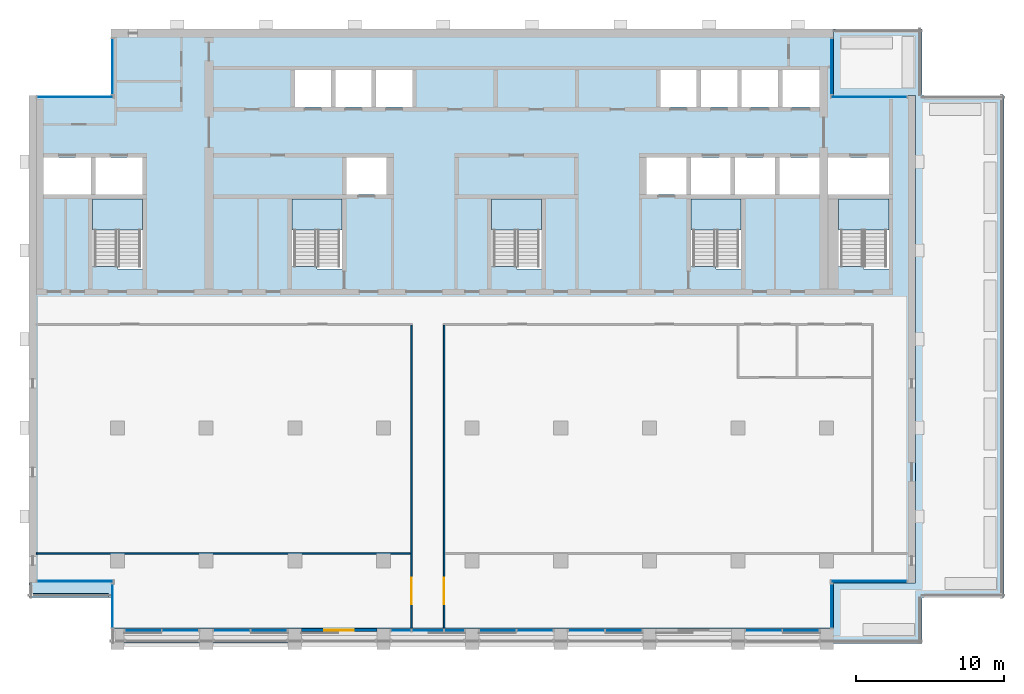
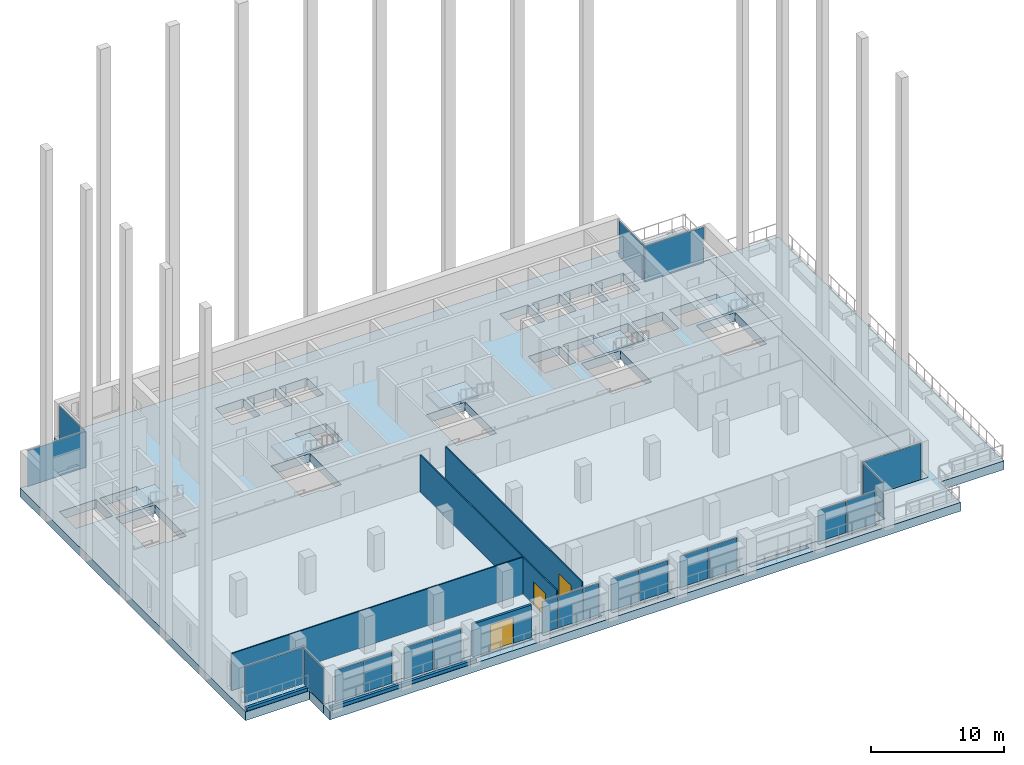
# One storey, part 6 of 16: 21 plates, 7 slabs, 6 walls, 3 doors, 3 openings, 19 elements without a shape of their own.
"""IFC4 building model written with IfcOpenShell, lengths in metres."""

from ifc_helpers import new_model, si_unit, direction, frame, frame_2d, origin, origin_2d, place, context, subcontext, project, spatial, polyline, rectangle, outline, extrude, material, layer, layer_set, type_object, element, fill, aggregate, save


model = new_model("IFC4")

# Units and contexts
model_context = context("Model", 3, precision=1e-05, world=origin(), true_north=direction((0.0, 1.0)))
body_context = subcontext(model_context, "Body", "Model", "MODEL_VIEW")
ifc_project = project(units=[si_unit("LENGTHUNIT", "METRE"), si_unit("AREAUNIT", "SQUARE_METRE"), si_unit("VOLUMEUNIT", "CUBIC_METRE"), si_unit("PLANEANGLEUNIT", "RADIAN"), si_unit("MASSUNIT", "GRAM", prefix="KILO")], contexts=[model_context])

# Site, building, storey
site_placement = place(None, origin())
site = spatial("IfcSite", under=ifc_project, at=site_placement, CompositionType="ELEMENT")
building_placement = place(site_placement, origin())
building = spatial("IfcBuilding", under=site, at=building_placement, Name="Calvaro Tower", CompositionType="ELEMENT")
storey_placement = place(building_placement, frame((0.0, 0.0, 231.75)))
storey = spatial("IfcBuildingStorey", under=building, at=storey_placement, Name="L58", CompositionType="ELEMENT", Elevation=231.75)

# Slab
ifc_material_1 = material(Name="Concrete C40/50", Category="concrete")
ifc_layer_1 = layer(ifc_material_1, 0.800048828125)
ifc_layer_set_1 = layer_set([ifc_layer_1], Name="Concrete C40/50")
slab_type_1 = type_object("IfcSlabType", Name="Floor slab 800 C40/50", PredefinedType="FLOOR", material=ifc_layer_set_1)
slab_1_placement = place(storey_placement, frame((0.0, 0.0, -0.800048828125)))
element("IfcSlab", 1, at=slab_1_placement, inside=storey, type_object=slab_type_1, Name="Floor slab", PredefinedType="FLOOR", context=body_context, shape_type="SweptSolid", body=[
    extrude(outline(polyline([(6.0, 8.5), (6.0, 41.5), (11.550048828125, 41.5), (11.550048828125, 46.0), (60.449951171875, 46.0), (60.449951171875, 41.5), (66.0, 41.5), (66.0, 8.5), (60.449951171875, 8.5), (60.449951171875, 5.39990234375), (11.550048828125, 5.39990234375), (11.550048828125, 7.5), (6.0, 7.5), (6.0, 8.5)]), holes=[polyline([(13.699951171875, 34.5), (13.699951171875, 29.760009765625), (12.0, 29.760009765625), (12.0, 29.909912109375), (10.300048828125, 29.909912109375), (10.300048828125, 34.5), (12.0, 34.5), (13.699951171875, 34.5)]), polyline([(27.199951171875, 34.5), (27.199951171875, 29.760009765625), (25.5, 29.760009765625), (25.5, 29.909912109375), (23.800048828125, 29.909912109375), (23.800048828125, 34.5), (25.5, 34.5), (27.199951171875, 34.5)]), polyline([(40.699951171875, 34.5), (40.699951171875, 29.760009765625), (39.0, 29.760009765625), (39.0, 29.909912109375), (37.300048828125, 29.909912109375), (37.300048828125, 34.5), (39.0, 34.5), (40.699951171875, 34.5)]), polyline([(54.199951171875, 34.5), (54.199951171875, 29.760009765625), (52.5, 29.760009765625), (52.5, 29.909912109375), (50.800048828125, 29.909912109375), (50.800048828125, 34.5), (52.5, 34.5), (54.199951171875, 34.5)]), polyline([(64.199951171875, 34.5), (64.199951171875, 29.760009765625), (62.5, 29.760009765625), (62.5, 29.909912109375), (60.800048828125, 29.909912109375), (60.800048828125, 34.5), (62.5, 34.5), (64.199951171875, 34.5)]), polyline([(50.800048828125, 34.800048828125), (53.5, 34.800048828125), (53.5, 37.300048828125), (50.800048828125, 37.300048828125), (50.800048828125, 34.800048828125)]), polyline([(53.800048828125, 34.800048828125), (56.5, 34.800048828125), (56.5, 37.300048828125), (53.800048828125, 37.300048828125), (53.800048828125, 34.800048828125)]), polyline([(56.800048828125, 34.800048828125), (59.5, 34.800048828125), (59.5, 37.300048828125), (56.800048828125, 37.300048828125), (56.800048828125, 34.800048828125)]), polyline([(24.0, 40.699951171875), (26.449951171875, 40.699951171875), (26.449951171875, 43.199951171875), (24.0, 43.199951171875), (24.0, 40.699951171875)]), polyline([(26.75, 40.699951171875), (29.199951171875, 40.699951171875), (29.199951171875, 43.199951171875), (26.75, 43.199951171875), (26.75, 40.699951171875)]), polyline([(29.5, 40.699951171875), (31.949951171875, 40.699951171875), (31.949951171875, 43.199951171875), (29.5, 43.199951171875), (29.5, 40.699951171875)]), polyline([(48.75, 40.699951171875), (51.199951171875, 40.699951171875), (51.199951171875, 43.199951171875), (48.75, 43.199951171875), (48.75, 40.699951171875)]), polyline([(51.5, 40.699951171875), (53.949951171875, 40.699951171875), (53.949951171875, 43.199951171875), (51.5, 43.199951171875), (51.5, 40.699951171875)]), polyline([(54.25, 40.699951171875), (56.699951171875, 40.699951171875), (56.699951171875, 43.199951171875), (54.25, 43.199951171875), (54.25, 40.699951171875)]), polyline([(57.0, 40.699951171875), (59.5, 40.699951171875), (59.5, 43.199951171875), (57.0, 43.199951171875), (57.0, 40.699951171875)]), polyline([(7.0, 34.800048828125), (10.199951171875, 34.800048828125), (10.199951171875, 37.300048828125), (7.0, 37.300048828125), (7.0, 34.800048828125)]), polyline([(10.5, 34.800048828125), (13.699951171875, 34.800048828125), (13.699951171875, 37.300048828125), (10.5, 37.300048828125), (10.5, 34.800048828125)]), polyline([(60.10009765625, 34.800048828125), (64.199951171875, 34.800048828125), (64.199951171875, 37.300048828125), (60.10009765625, 37.300048828125), (60.10009765625, 34.800048828125)]), polyline([(27.5, 34.800048828125), (30.199951171875, 34.800048828125), (30.199951171875, 37.300048828125), (27.5, 37.300048828125), (27.5, 34.800048828125)]), polyline([(47.800048828125, 34.800048828125), (50.5, 34.800048828125), (50.5, 37.300048828125), (47.800048828125, 37.300048828125), (47.800048828125, 34.800048828125)])]), origin(), (0.0, 0.0, 1.0), 0.800048828125),
])

# Curtain wall, plates
ifc_material_2 = material(Name="Anodised aluminium", Category="aluminium")
curtain_wall_type = type_object("IfcCurtainWallType", Name="Executive curtain wall", PredefinedType="NOTDEFINED", material=ifc_material_2)
curtain_wall_1_placement = place(storey_placement, origin())
curtain_wall_1 = element("IfcCurtainWall", 2, at=curtain_wall_1_placement, inside=storey, type_object=curtain_wall_type, Name="CW4 south curtain wall", PredefinedType="NOTDEFINED")
ifc_material_3 = material(Name="Glass", Category="glass")
ifc_layer_2 = layer(ifc_material_3, 0.0400390625)
ifc_layer_set_2 = layer_set([ifc_layer_2], Name="Glass")
plate_type = type_object("IfcPlateType", Name="Glass panel S4 40", PredefinedType="CURTAIN_PANEL", material=ifc_layer_set_2)
plate_1_placement = place(storey_placement, frame((13.7451171875, 5.2900390625, 0.0), z_axis=(0.0, 0.0, 1.0), x_axis=(1.0, 0.0, 0.0)))
plate_1 = element("IfcPlate", 3, at=plate_1_placement, type_object=plate_type, Name="CW4 glass panel 1.1", PredefinedType="CURTAIN_PANEL", context=body_context, shape_type="SweptSolid", body=[
    extrude(rectangle(XDim=2.429931640625, YDim=0.0400390625, at=origin_2d()), origin(), (0.0, 0.0, 1.0), 2.8798828125),
])
plate_2_placement = place(storey_placement, frame((16.2548828125, 5.2900390625, 0.0), z_axis=(0.0, 0.0, 1.0), x_axis=(1.0, 0.0, 0.0)))
plate_2 = element("IfcPlate", 4, at=plate_2_placement, type_object=plate_type, Name="CW4 glass panel 2.1", PredefinedType="CURTAIN_PANEL", context=body_context, shape_type="SweptSolid", body=[
    extrude(rectangle(XDim=2.429931640625, YDim=0.0400390625, at=origin_2d()), origin(), (0.0, 0.0, 1.0), 2.8798828125),
])
aggregate(curtain_wall_1, [plate_1, plate_2])

curtain_wall_2_placement = place(storey_placement, origin())
curtain_wall_2 = element("IfcCurtainWall", 5, at=curtain_wall_2_placement, inside=storey, type_object=curtain_wall_type, Name="CW4 south curtain wall", PredefinedType="NOTDEFINED")
plate_3_placement = place(storey_placement, frame((19.7451171875, 5.2900390625, 0.0), z_axis=(0.0, 0.0, 1.0), x_axis=(1.0, 0.0, 0.0)))
plate_3 = element("IfcPlate", 6, at=plate_3_placement, type_object=plate_type, Name="CW4 glass panel 1.1", PredefinedType="CURTAIN_PANEL", context=body_context, shape_type="SweptSolid", body=[
    extrude(rectangle(XDim=2.429931640625, YDim=0.0400390625, at=origin_2d()), origin(), (0.0, 0.0, 1.0), 2.8798828125),
])
plate_4_placement = place(storey_placement, frame((22.2548828125, 5.2900390625, 0.0), z_axis=(0.0, 0.0, 1.0), x_axis=(1.0, 0.0, 0.0)))
plate_4 = element("IfcPlate", 7, at=plate_4_placement, type_object=plate_type, Name="CW4 glass panel 2.1", PredefinedType="CURTAIN_PANEL", context=body_context, shape_type="SweptSolid", body=[
    extrude(rectangle(XDim=2.429931640625, YDim=0.0400390625, at=origin_2d()), origin(), (0.0, 0.0, 1.0), 2.8798828125),
])
aggregate(curtain_wall_2, [plate_3, plate_4])

curtain_wall_3_placement = place(storey_placement, origin())
curtain_wall_3 = element("IfcCurtainWall", 8, at=curtain_wall_3_placement, inside=storey, type_object=curtain_wall_type, Name="CW4 south curtain wall", PredefinedType="NOTDEFINED")
plate_5_placement = place(storey_placement, frame((31.195068359375, 5.2900390625, 0.0), z_axis=(0.0, 0.0, 1.0), x_axis=(1.0, 0.0, 0.0)))
plate_5 = element("IfcPlate", 9, at=plate_5_placement, type_object=plate_type, Name="CW4 glass panel 1.1", PredefinedType="CURTAIN_PANEL", context=body_context, shape_type="SweptSolid", body=[
    extrude(rectangle(XDim=1.330078125, YDim=0.0400390625, at=origin_2d()), origin(), (0.0, 0.0, 1.0), 2.8798828125),
])
plate_6_placement = place(storey_placement, frame((33.0, 5.2900390625, 0.0), z_axis=(0.0, 0.0, 1.0), x_axis=(1.0, 0.0, 0.0)))
plate_6 = element("IfcPlate", 10, at=plate_6_placement, type_object=plate_type, Name="CW4 glass panel 2.1", PredefinedType="CURTAIN_PANEL", context=body_context, shape_type="SweptSolid", body=[
    extrude(rectangle(XDim=2.1201171875, YDim=0.0400390625, at=origin_2d()), origin(), (0.0, 0.0, 1.0), 2.8798828125),
])
plate_7_placement = place(storey_placement, frame((34.804931640625, 5.2900390625, 0.0), z_axis=(0.0, 0.0, 1.0), x_axis=(1.0, 0.0, 0.0)))
plate_7 = element("IfcPlate", 11, at=plate_7_placement, type_object=plate_type, Name="CW4 glass panel 3.1", PredefinedType="CURTAIN_PANEL", context=body_context, shape_type="SweptSolid", body=[
    extrude(rectangle(XDim=1.330078125, YDim=0.0400390625, at=origin_2d()), origin(), (0.0, 0.0, 1.0), 2.8798828125),
])
aggregate(curtain_wall_3, [plate_5, plate_6, plate_7])

curtain_wall_4_placement = place(storey_placement, origin())
curtain_wall_4 = element("IfcCurtainWall", 12, at=curtain_wall_4_placement, inside=storey, type_object=curtain_wall_type, Name="CW4 south curtain wall", PredefinedType="NOTDEFINED")
plate_8_placement = place(storey_placement, frame((37.7451171875, 5.2900390625, 0.0), z_axis=(0.0, 0.0, 1.0), x_axis=(1.0, 0.0, 0.0)))
plate_8 = element("IfcPlate", 13, at=plate_8_placement, type_object=plate_type, Name="CW4 glass panel 1.1", PredefinedType="CURTAIN_PANEL", context=body_context, shape_type="SweptSolid", body=[
    extrude(rectangle(XDim=2.429931640625, YDim=0.0400390625, at=origin_2d()), origin(), (0.0, 0.0, 1.0), 2.8798828125),
])
plate_9_placement = place(storey_placement, frame((40.2548828125, 5.2900390625, 0.0), z_axis=(0.0, 0.0, 1.0), x_axis=(1.0, 0.0, 0.0)))
plate_9 = element("IfcPlate", 14, at=plate_9_placement, type_object=plate_type, Name="CW4 glass panel 2.1", PredefinedType="CURTAIN_PANEL", context=body_context, shape_type="SweptSolid", body=[
    extrude(rectangle(XDim=2.429931640625, YDim=0.0400390625, at=origin_2d()), origin(), (0.0, 0.0, 1.0), 2.8798828125),
])
aggregate(curtain_wall_4, [plate_8, plate_9])

curtain_wall_5_placement = place(storey_placement, origin())
curtain_wall_5 = element("IfcCurtainWall", 15, at=curtain_wall_5_placement, inside=storey, type_object=curtain_wall_type, Name="CW4 south curtain wall", PredefinedType="NOTDEFINED")
plate_10_placement = place(storey_placement, frame((43.7451171875, 5.2900390625, 0.0), z_axis=(0.0, 0.0, 1.0), x_axis=(1.0, 0.0, 0.0)))
plate_10 = element("IfcPlate", 16, at=plate_10_placement, type_object=plate_type, Name="CW4 glass panel 1.1", PredefinedType="CURTAIN_PANEL", context=body_context, shape_type="SweptSolid", body=[
    extrude(rectangle(XDim=2.429931640625, YDim=0.0400390625, at=origin_2d()), origin(), (0.0, 0.0, 1.0), 2.8798828125),
])
plate_11_placement = place(storey_placement, frame((46.2548828125, 5.2900390625, 0.0), z_axis=(0.0, 0.0, 1.0), x_axis=(1.0, 0.0, 0.0)))
plate_11 = element("IfcPlate", 17, at=plate_11_placement, type_object=plate_type, Name="CW4 glass panel 2.1", PredefinedType="CURTAIN_PANEL", context=body_context, shape_type="SweptSolid", body=[
    extrude(rectangle(XDim=2.429931640625, YDim=0.0400390625, at=origin_2d()), origin(), (0.0, 0.0, 1.0), 2.8798828125),
])
aggregate(curtain_wall_5, [plate_10, plate_11])

curtain_wall_6_placement = place(storey_placement, origin())
curtain_wall_6 = element("IfcCurtainWall", 18, at=curtain_wall_6_placement, inside=storey, type_object=curtain_wall_type, Name="CW4 south curtain wall", PredefinedType="NOTDEFINED")
plate_12_placement = place(storey_placement, frame((55.7451171875, 5.2900390625, 0.0), z_axis=(0.0, 0.0, 1.0), x_axis=(1.0, 0.0, 0.0)))
plate_12 = element("IfcPlate", 19, at=plate_12_placement, type_object=plate_type, Name="CW4 glass panel 1.1", PredefinedType="CURTAIN_PANEL", context=body_context, shape_type="SweptSolid", body=[
    extrude(rectangle(XDim=2.429931640625, YDim=0.0400390625, at=origin_2d()), origin(), (0.0, 0.0, 1.0), 2.8798828125),
])
plate_13_placement = place(storey_placement, frame((58.2548828125, 5.2900390625, 0.0), z_axis=(0.0, 0.0, 1.0), x_axis=(1.0, 0.0, 0.0)))
plate_13 = element("IfcPlate", 20, at=plate_13_placement, type_object=plate_type, Name="CW4 glass panel 2.1", PredefinedType="CURTAIN_PANEL", context=body_context, shape_type="SweptSolid", body=[
    extrude(rectangle(XDim=2.429931640625, YDim=0.0400390625, at=origin_2d()), origin(), (0.0, 0.0, 1.0), 2.8798828125),
])
aggregate(curtain_wall_6, [plate_12, plate_13])

# Curtain wall, plate
curtain_wall_7_placement = place(storey_placement, origin())
curtain_wall_7 = element("IfcCurtainWall", 21, at=curtain_wall_7_placement, inside=storey, type_object=curtain_wall_type, Name="CW4 corner curtain wall", PredefinedType="NOTDEFINED")
plate_14_placement = place(storey_placement, frame((11.659912109375, 6.949951171875, 0.0), z_axis=(0.0, 0.0, 1.0), x_axis=(0.0, 1.0, 0.0)))
plate_14 = element("IfcPlate", 22, at=plate_14_placement, type_object=plate_type, Name="CW4 glass panel 1.1", PredefinedType="CURTAIN_PANEL", context=body_context, shape_type="SweptSolid", body=[
    extrude(rectangle(XDim=2.93994140625, YDim=0.0400390625, at=origin_2d()), origin(), (0.0, 0.0, 1.0), 3.280029296875),
])
aggregate(curtain_wall_7, [plate_14])

curtain_wall_8_placement = place(storey_placement, origin())
curtain_wall_8 = element("IfcCurtainWall", 23, at=curtain_wall_8_placement, inside=storey, type_object=curtain_wall_type, Name="CW4 corner curtain wall", PredefinedType="NOTDEFINED")
plate_15_placement = place(storey_placement, frame((9.135009765625, 8.610107421875, 0.0), z_axis=(0.0, 0.0, 1.0), x_axis=(1.0, 0.0, 0.0)))
plate_15 = element("IfcPlate", 24, at=plate_15_placement, type_object=plate_type, Name="CW4 glass panel 1.1", PredefinedType="CURTAIN_PANEL", context=body_context, shape_type="SweptSolid", body=[
    extrude(rectangle(XDim=5.110107421875, YDim=0.0400390625, at=origin_2d()), origin(), (0.0, 0.0, 1.0), 3.280029296875),
])
aggregate(curtain_wall_8, [plate_15])

curtain_wall_9_placement = place(storey_placement, origin())
curtain_wall_9 = element("IfcCurtainWall", 25, at=curtain_wall_9_placement, inside=storey, type_object=curtain_wall_type, Name="CW4 corner curtain wall", PredefinedType="NOTDEFINED")
plate_16_placement = place(storey_placement, frame((11.659912109375, 43.449951171875, 0.0), z_axis=(0.0, 0.0, 1.0), x_axis=(0.0, 1.0, 0.0)))
plate_16 = element("IfcPlate", 26, at=plate_16_placement, type_object=plate_type, Name="CW4 glass panel 1.1", PredefinedType="CURTAIN_PANEL", context=body_context, shape_type="SweptSolid", body=[
    extrude(rectangle(XDim=3.739990234375, YDim=0.0400390625, at=origin_2d()), origin(), (0.0, 0.0, 1.0), 3.280029296875),
])
aggregate(curtain_wall_9, [plate_16])

curtain_wall_10_placement = place(storey_placement, origin())
curtain_wall_10 = element("IfcCurtainWall", 27, at=curtain_wall_10_placement, inside=storey, type_object=curtain_wall_type, Name="CW4 corner curtain wall", PredefinedType="NOTDEFINED")
plate_17_placement = place(storey_placement, frame((9.135009765625, 41.389892578125, 0.0), z_axis=(0.0, 0.0, 1.0), x_axis=(1.0, 0.0, 0.0)))
plate_17 = element("IfcPlate", 28, at=plate_17_placement, type_object=plate_type, Name="CW4 glass panel 1.1", PredefinedType="CURTAIN_PANEL", context=body_context, shape_type="SweptSolid", body=[
    extrude(rectangle(XDim=5.110107421875, YDim=0.0400390625, at=origin_2d()), origin(), (0.0, 0.0, 1.0), 3.280029296875),
])
aggregate(curtain_wall_10, [plate_17])

curtain_wall_11_placement = place(storey_placement, origin())
curtain_wall_11 = element("IfcCurtainWall", 29, at=curtain_wall_11_placement, inside=storey, type_object=curtain_wall_type, Name="CW4 corner curtain wall", PredefinedType="NOTDEFINED")
plate_18_placement = place(storey_placement, frame((60.340087890625, 6.949951171875, 0.0), z_axis=(0.0, 0.0, 1.0), x_axis=(0.0, 1.0, 0.0)))
plate_18 = element("IfcPlate", 30, at=plate_18_placement, type_object=plate_type, Name="CW4 glass panel 1.1", PredefinedType="CURTAIN_PANEL", context=body_context, shape_type="SweptSolid", body=[
    extrude(rectangle(XDim=2.93994140625, YDim=0.0400390625, at=origin_2d()), origin(), (0.0, 0.0, 1.0), 3.280029296875),
])
aggregate(curtain_wall_11, [plate_18])

curtain_wall_12_placement = place(storey_placement, origin())
curtain_wall_12 = element("IfcCurtainWall", 31, at=curtain_wall_12_placement, inside=storey, type_object=curtain_wall_type, Name="CW4 corner curtain wall", PredefinedType="NOTDEFINED")
plate_19_placement = place(storey_placement, frame((62.864990234375, 8.610107421875, 0.0), z_axis=(0.0, 0.0, 1.0), x_axis=(1.0, 0.0, 0.0)))
plate_19 = element("IfcPlate", 32, at=plate_19_placement, type_object=plate_type, Name="CW4 glass panel 1.1", PredefinedType="CURTAIN_PANEL", context=body_context, shape_type="SweptSolid", body=[
    extrude(rectangle(XDim=5.110107421875, YDim=0.0400390625, at=origin_2d()), origin(), (0.0, 0.0, 1.0), 3.280029296875),
])
aggregate(curtain_wall_12, [plate_19])

curtain_wall_13_placement = place(storey_placement, origin())
curtain_wall_13 = element("IfcCurtainWall", 33, at=curtain_wall_13_placement, inside=storey, type_object=curtain_wall_type, Name="CW4 corner curtain wall", PredefinedType="NOTDEFINED")
plate_20_placement = place(storey_placement, frame((60.340087890625, 43.449951171875, 0.0), z_axis=(0.0, 0.0, 1.0), x_axis=(0.0, 1.0, 0.0)))
plate_20 = element("IfcPlate", 34, at=plate_20_placement, type_object=plate_type, Name="CW4 glass panel 1.1", PredefinedType="CURTAIN_PANEL", context=body_context, shape_type="SweptSolid", body=[
    extrude(rectangle(XDim=3.739990234375, YDim=0.0400390625, at=origin_2d()), origin(), (0.0, 0.0, 1.0), 3.280029296875),
])
aggregate(curtain_wall_13, [plate_20])

curtain_wall_14_placement = place(storey_placement, origin())
curtain_wall_14 = element("IfcCurtainWall", 35, at=curtain_wall_14_placement, inside=storey, type_object=curtain_wall_type, Name="CW4 corner curtain wall", PredefinedType="NOTDEFINED")
plate_21_placement = place(storey_placement, frame((62.864990234375, 41.389892578125, 0.0), z_axis=(0.0, 0.0, 1.0), x_axis=(1.0, 0.0, 0.0)))
plate_21 = element("IfcPlate", 36, at=plate_21_placement, type_object=plate_type, Name="CW4 glass panel 1.1", PredefinedType="CURTAIN_PANEL", context=body_context, shape_type="SweptSolid", body=[
    extrude(rectangle(XDim=5.110107421875, YDim=0.0400390625, at=origin_2d()), origin(), (0.0, 0.0, 1.0), 3.280029296875),
])
aggregate(curtain_wall_14, [plate_21])

# Stair, slab
ifc_material_4 = material(Name="Concrete C40/50", Category="concrete")
stair_type = type_object("IfcStairType", Name="Exit stair 1400 2 flights", PredefinedType="HALF_TURN_STAIR", material=ifc_material_4)
stair_1_placement = place(storey_placement, origin())
stair_1 = element("IfcStair", 37, at=stair_1_placement, inside=storey, type_object=stair_type, Name="Exit stair S1", PredefinedType="HALF_TURN_STAIR")
ifc_material_5 = material(Name="Concrete C40/50", Category="concrete")
ifc_layer_3 = layer(ifc_material_5, 0.199951171875)
ifc_layer_set_3 = layer_set([ifc_layer_3], Name="Concrete C40/50")
slab_type_2 = type_object("IfcSlabType", Name="Stair landing", PredefinedType="LANDING", material=ifc_layer_set_3)
slab_2_placement = place(storey_placement, frame((0.0, 0.0, 1.699951171875)))
slab_2 = element("IfcSlab", 38, at=slab_2_placement, type_object=slab_type_2, Name="Exit stair 1, landing 1", PredefinedType="LANDING", context=body_context, shape_type="SweptSolid", body=[
    extrude(outline(polyline([(11.89990234375, 32.389892578125), (10.5, 32.389892578125), (10.5, 32.39990234375), (10.300048828125, 32.39990234375), (10.300048828125, 34.5), (10.5, 34.5), (11.89990234375, 34.5), (12.10009765625, 34.5), (13.5, 34.5), (13.699951171875, 34.5), (13.699951171875, 32.39990234375), (13.5, 32.39990234375), (13.5, 32.389892578125), (12.10009765625, 32.389892578125), (12.10009765625, 32.39990234375), (11.89990234375, 32.39990234375), (11.89990234375, 32.389892578125)])), origin(), (0.0, 0.0, 1.0), 0.199951171875),
])
aggregate(stair_1, [slab_2])

stair_2_placement = place(storey_placement, origin())
stair_2 = element("IfcStair", 39, at=stair_2_placement, inside=storey, type_object=stair_type, Name="Exit stair S2", PredefinedType="HALF_TURN_STAIR")
slab_3_placement = place(storey_placement, frame((0.0, 0.0, 1.699951171875)))
slab_3 = element("IfcSlab", 40, at=slab_3_placement, type_object=slab_type_2, Name="Exit stair 2, landing 1", PredefinedType="LANDING", context=body_context, shape_type="SweptSolid", body=[
    extrude(outline(polyline([(25.39990234375, 32.389892578125), (24.0, 32.389892578125), (24.0, 32.39990234375), (23.800048828125, 32.39990234375), (23.800048828125, 34.5), (24.0, 34.5), (25.39990234375, 34.5), (25.60009765625, 34.5), (27.0, 34.5), (27.199951171875, 34.5), (27.199951171875, 32.39990234375), (27.0, 32.39990234375), (27.0, 32.389892578125), (25.60009765625, 32.389892578125), (25.60009765625, 32.39990234375), (25.39990234375, 32.39990234375), (25.39990234375, 32.389892578125)])), origin(), (0.0, 0.0, 1.0), 0.199951171875),
])
aggregate(stair_2, [slab_3])

stair_3_placement = place(storey_placement, origin())
stair_3 = element("IfcStair", 41, at=stair_3_placement, inside=storey, type_object=stair_type, Name="Exit stair S3", PredefinedType="HALF_TURN_STAIR")
slab_4_placement = place(storey_placement, frame((0.0, 0.0, 1.699951171875)))
slab_4 = element("IfcSlab", 42, at=slab_4_placement, type_object=slab_type_2, Name="Exit stair 3, landing 1", PredefinedType="LANDING", context=body_context, shape_type="SweptSolid", body=[
    extrude(outline(polyline([(38.89990234375, 32.389892578125), (37.5, 32.389892578125), (37.5, 32.39990234375), (37.300048828125, 32.39990234375), (37.300048828125, 34.5), (37.5, 34.5), (38.89990234375, 34.5), (39.10009765625, 34.5), (40.5, 34.5), (40.699951171875, 34.5), (40.699951171875, 32.39990234375), (40.5, 32.39990234375), (40.5, 32.389892578125), (39.10009765625, 32.389892578125), (39.10009765625, 32.39990234375), (38.89990234375, 32.39990234375), (38.89990234375, 32.389892578125)])), origin(), (0.0, 0.0, 1.0), 0.199951171875),
])
aggregate(stair_3, [slab_4])

stair_4_placement = place(storey_placement, origin())
stair_4 = element("IfcStair", 43, at=stair_4_placement, inside=storey, type_object=stair_type, Name="Exit stair S4", PredefinedType="HALF_TURN_STAIR")
slab_5_placement = place(storey_placement, frame((0.0, 0.0, 1.699951171875)))
slab_5 = element("IfcSlab", 44, at=slab_5_placement, type_object=slab_type_2, Name="Exit stair 4, landing 1", PredefinedType="LANDING", context=body_context, shape_type="SweptSolid", body=[
    extrude(outline(polyline([(52.39990234375, 32.389892578125), (51.0, 32.389892578125), (51.0, 32.39990234375), (50.800048828125, 32.39990234375), (50.800048828125, 34.5), (51.0, 34.5), (52.39990234375, 34.5), (52.60009765625, 34.5), (54.0, 34.5), (54.199951171875, 34.5), (54.199951171875, 32.39990234375), (54.0, 32.39990234375), (54.0, 32.389892578125), (52.60009765625, 32.389892578125), (52.60009765625, 32.39990234375), (52.39990234375, 32.39990234375), (52.39990234375, 32.389892578125)])), origin(), (0.0, 0.0, 1.0), 0.199951171875),
])
aggregate(stair_4, [slab_5])

stair_5_placement = place(storey_placement, origin())
stair_5 = element("IfcStair", 45, at=stair_5_placement, inside=storey, type_object=stair_type, Name="Exit stair S5", PredefinedType="HALF_TURN_STAIR")
slab_6_placement = place(storey_placement, frame((0.0, 0.0, 1.699951171875)))
slab_6 = element("IfcSlab", 46, at=slab_6_placement, type_object=slab_type_2, Name="Exit stair 5, landing 1", PredefinedType="LANDING", context=body_context, shape_type="SweptSolid", body=[
    extrude(outline(polyline([(62.39990234375, 32.389892578125), (61.0, 32.389892578125), (61.0, 32.39990234375), (60.800048828125, 32.39990234375), (60.800048828125, 34.5), (61.0, 34.5), (62.39990234375, 34.5), (62.60009765625, 34.5), (64.0, 34.5), (64.199951171875, 34.5), (64.199951171875, 32.39990234375), (64.0, 32.39990234375), (64.0, 32.389892578125), (62.60009765625, 32.389892578125), (62.60009765625, 32.39990234375), (62.39990234375, 32.39990234375), (62.39990234375, 32.389892578125)])), origin(), (0.0, 0.0, 1.0), 0.199951171875),
])
aggregate(stair_5, [slab_6])

# Slab
ifc_material_6 = material(Name="Concrete C40/50", Category="concrete")
ifc_layer_4 = layer(ifc_material_6, 0.800048828125)
ifc_layer_set_4 = layer_set([ifc_layer_4], Name="Concrete C40/50")
slab_type_3 = type_object("IfcSlabType", Name="Terrace slab 800 C40/50", PredefinedType="ROOF", material=ifc_layer_set_4)
slab_7_placement = place(storey_placement, frame((0.0, 0.0, -0.800048828125)))
element("IfcSlab", 47, at=slab_7_placement, inside=storey, type_object=slab_type_3, Name="Terrace slab", PredefinedType="ROOF", context=body_context, shape_type="SweptSolid", body=[
    extrude(outline(polyline([(11.550048828125, 4.39990234375), (11.550048828125, 5.39990234375), (12.449951171875, 5.39990234375), (12.449951171875, 4.949951171875), (17.550048828125, 4.949951171875), (17.550048828125, 5.39990234375), (18.449951171875, 5.39990234375), (18.449951171875, 4.949951171875), (23.550048828125, 4.949951171875), (23.550048828125, 5.39990234375), (24.449951171875, 5.39990234375), (24.449951171875, 4.949951171875), (29.550048828125, 4.949951171875), (29.550048828125, 5.39990234375), (30.449951171875, 5.39990234375), (30.449951171875, 4.949951171875), (35.550048828125, 4.949951171875), (35.550048828125, 5.39990234375), (36.449951171875, 5.39990234375), (36.449951171875, 4.949951171875), (41.550048828125, 4.949951171875), (41.550048828125, 5.39990234375), (42.449951171875, 5.39990234375), (42.449951171875, 4.949951171875), (47.550048828125, 4.949951171875), (47.550048828125, 5.39990234375), (48.449951171875, 5.39990234375), (48.449951171875, 4.949951171875), (53.550048828125, 4.949951171875), (53.550048828125, 5.39990234375), (54.449951171875, 5.39990234375), (54.449951171875, 4.949951171875), (59.550048828125, 4.949951171875), (59.550048828125, 5.39990234375), (60.449951171875, 5.39990234375), (60.449951171875, 8.5), (66.0, 8.5), (66.0, 41.5), (60.449951171875, 41.5), (60.449951171875, 46.0), (66.449951171875, 46.0), (66.449951171875, 41.5), (72.0, 41.5), (72.0, 7.5), (66.449951171875, 7.5), (66.449951171875, 4.39990234375), (11.550048828125, 4.39990234375)])), origin(), (0.0, 0.0, 1.0), 0.800048828125),
])

# Wall, opening, door
ifc_material_7 = material(Name="Anodised aluminium", Category="aluminium")
ifc_layer_5 = layer(ifc_material_7, 0.199951171875)
ifc_layer_set_5 = layer_set([ifc_layer_5], Name="Anodised aluminium")
wall_type_1 = type_object("IfcWallType", Name="Insulated door wall 200", PredefinedType="SOLIDWALL", material=ifc_layer_set_5)
wall_1_placement = place(storey_placement, frame((24.449951171875, 5.300048828125, 0.0), z_axis=(0.0, 0.0, 1.0), x_axis=(1.0, 0.0, 0.0)))
wall_1 = element("IfcWall", 48, at=wall_1_placement, inside=storey, type_object=wall_type_1, Name="Door wall", PredefinedType="SOLIDWALL", context=body_context, shape_type="SweptSolid", body=[
    extrude(rectangle(XDim=5.10009765625, YDim=0.199951171875, at=frame_2d((2.550048828125, 0.0))), origin(), (0.0, 0.0, 1.0), 3.0),
])
opening_1_placement = place(wall_1_placement, frame((1.550048828125, 0.0, 0.0)))
opening_1 = element("IfcOpeningElement", 49, at=opening_1_placement, cuts=wall_1, Name="Opening DT19", PredefinedType="OPENING", context=body_context, shape_type="SweptSolid", body=[
    extrude(rectangle(XDim=2.0, YDim=2.39990234375, at=frame_2d((1.0, 1.199951171875))), frame((0.0, 0.10986328125, 0.0), z_axis=(0.0, -1.0, 0.0), x_axis=(1.0, 0.0, 0.0)), (0.0, 0.0, 1.0), 0.219970703125),
])
ifc_material_8 = material(Name="Glass", Category="glass")
door_type_1 = type_object("IfcDoorType", Name="Terrace door pair 2000 x 2400", OperationType="DOUBLE_DOOR_SINGLE_SWING", PredefinedType="DOOR", material=ifc_material_8)
door_1_placement = place(opening_1_placement, frame((2.0, 0.0, 0.0), z_axis=(0.0, 0.0, 1.0), x_axis=(-1.0, 0.0, 0.0)))
door_1 = element("IfcDoor", 50, at=door_1_placement, inside=storey, type_object=door_type_1, Name="Terrace door", OperationType="DOUBLE_DOOR_SINGLE_SWING", OverallHeight=2.39990234375, OverallWidth=2.0, PredefinedType="DOOR", context=body_context, shape_type="SweptSolid", body=[
    extrude(rectangle(XDim=2.0, YDim=2.39990234375, at=frame_2d((1.0, 1.199951171875))), frame((0.0, 0.02490234375, 0.0), z_axis=(0.0, -1.0, 0.0), x_axis=(1.0, 0.0, 0.0)), (0.0, 0.0, 1.0), 0.050048828125),
])
fill(opening_1, door_1)

# Wall
ifc_material_9 = material(Name="Plasterboard on steel studs", Category="steel")
ifc_layer_6 = layer(ifc_material_9, 0.10009765625)
ifc_layer_set_6 = layer_set([ifc_layer_6], Name="Plasterboard on steel studs")
wall_type_2 = type_object("IfcWallType", Name="Partition 100", PredefinedType="PARTITIONING", material=ifc_layer_set_6)
wall_2_placement = place(storey_placement, frame((6.5, 10.5, 0.0), z_axis=(0.0, 0.0, 1.0), x_axis=(1.0, 0.0, 0.0)))
element("IfcWall", 51, at=wall_2_placement, inside=storey, type_object=wall_type_2, Name="Partition T43.W001", PredefinedType="PARTITIONING", context=body_context, shape_type="SweptSolid", body=[
    extrude(rectangle(XDim=25.35009765625, YDim=0.10009765625, at=frame_2d((12.675048828125, 0.0))), origin(), (0.0, 0.0, 1.0), 3.39990234375),
])

# Wall, opening, door
wall_3_placement = place(storey_placement, frame((31.89990234375, 5.39990234375, 0.0), z_axis=(0.0, 0.0, 1.0), x_axis=(0.0, 1.0, 0.0)))
wall_3 = element("IfcWall", 52, at=wall_3_placement, inside=storey, type_object=wall_type_2, Name="Partition T43.W006", PredefinedType="PARTITIONING", context=body_context, shape_type="SweptSolid", body=[
    extrude(rectangle(XDim=20.550048828125, YDim=0.10009765625, at=frame_2d((10.27490234375, 0.0))), origin(), (0.0, 0.0, 1.0), 3.39990234375),
])
opening_2_placement = place(wall_3_placement, frame((1.64990234375, 0.0, 0.0)))
opening_2 = element("IfcOpeningElement", 53, at=opening_2_placement, cuts=wall_3, Name="Opening T43.001", PredefinedType="OPENING", context=body_context, shape_type="SweptSolid", body=[
    extrude(rectangle(XDim=1.800048828125, YDim=2.10009765625, at=frame_2d((0.89990234375, 1.050048828125))), frame((0.0, 0.06005859375, 0.0), z_axis=(0.0, -1.0, 0.0), x_axis=(1.0, 0.0, 0.0)), (0.0, 0.0, 1.0), 0.1201171875),
])
ifc_material_10 = material(Name="Timber", Category="wood")
door_type_2 = type_object("IfcDoorType", Name="Internal double door 1800 x 2100", OperationType="DOUBLE_DOOR_SINGLE_SWING", PredefinedType="DOOR", material=ifc_material_10)
door_2_placement = place(opening_2_placement, origin())
door_2 = element("IfcDoor", 54, at=door_2_placement, inside=storey, type_object=door_type_2, Name="Door T43.001", OperationType="DOUBLE_DOOR_SINGLE_SWING", OverallHeight=2.10009765625, OverallWidth=1.800048828125, PredefinedType="DOOR", context=body_context, shape_type="SweptSolid", body=[
    extrude(rectangle(XDim=1.800048828125, YDim=2.10009765625, at=frame_2d((0.89990234375, 1.050048828125))), frame((0.0, 0.02490234375, 0.0), z_axis=(0.0, -1.0, 0.0), x_axis=(1.0, 0.0, 0.0)), (0.0, 0.0, 1.0), 0.050048828125),
])
fill(opening_2, door_2)

wall_4_placement = place(storey_placement, frame((34.10009765625, 5.39990234375, 0.0), z_axis=(0.0, 0.0, 1.0), x_axis=(0.0, 1.0, 0.0)))
wall_4 = element("IfcWall", 55, at=wall_4_placement, inside=storey, type_object=wall_type_2, Name="Partition T43.W007", PredefinedType="PARTITIONING", context=body_context, shape_type="SweptSolid", body=[
    extrude(rectangle(XDim=20.550048828125, YDim=0.10009765625, at=frame_2d((10.27490234375, 0.0))), origin(), (0.0, 0.0, 1.0), 3.39990234375),
])
opening_3_placement = place(wall_4_placement, frame((1.64990234375, 0.0, 0.0)))
opening_3 = element("IfcOpeningElement", 56, at=opening_3_placement, cuts=wall_4, Name="Opening T43.002", PredefinedType="OPENING", context=body_context, shape_type="SweptSolid", body=[
    extrude(rectangle(XDim=1.800048828125, YDim=2.10009765625, at=frame_2d((0.89990234375, 1.050048828125))), frame((0.0, 0.06005859375, 0.0), z_axis=(0.0, -1.0, 0.0), x_axis=(1.0, 0.0, 0.0)), (0.0, 0.0, 1.0), 0.1201171875),
])
door_3_placement = place(opening_3_placement, origin())
door_3 = element("IfcDoor", 57, at=door_3_placement, inside=storey, type_object=door_type_2, Name="Door T43.002", OperationType="DOUBLE_DOOR_SINGLE_SWING", OverallHeight=2.10009765625, OverallWidth=1.800048828125, PredefinedType="DOOR", context=body_context, shape_type="SweptSolid", body=[
    extrude(rectangle(XDim=1.800048828125, YDim=2.10009765625, at=frame_2d((0.89990234375, 1.050048828125))), frame((0.0, 0.02490234375, 0.0), z_axis=(0.0, -1.0, 0.0), x_axis=(1.0, 0.0, 0.0)), (0.0, 0.0, 1.0), 0.050048828125),
])
fill(opening_3, door_3)

# Walls
ifc_material_11 = material(Name="Concrete C40/50", Category="concrete")
ifc_layer_7 = layer(ifc_material_11, 0.199951171875, Name="Structure")
ifc_material_12 = material(Name="Reconstituted stone coping")
ifc_layer_8 = layer(ifc_material_12, 0.050048828125, Name="Finish")
ifc_layer_set_7 = layer_set([ifc_layer_7, ifc_layer_8], Name="Concrete C40/50")
wall_type_3 = type_object("IfcWallType", Name="Terrace edge kerb 250", PredefinedType="PARAPET", material=ifc_layer_set_7)
wall_5_placement = place(storey_placement, frame((11.405029296875, 7.64990234375, 0.0), z_axis=(0.0, 0.0, 1.0), x_axis=(-1.0, 0.0, 0.0)))
element("IfcWall", 58, at=wall_5_placement, inside=storey, type_object=wall_type_3, Name="Terrace edge kerb", PredefinedType="PARAPET", context=body_context, shape_type="SweptSolid", body=[
    extrude(rectangle(XDim=5.280029296875, YDim=0.25, at=frame_2d((2.64013671875, 0.0))), origin(), (0.0, 0.0, 1.0), 0.300048828125),
])
wall_6_placement = place(storey_placement, frame((11.675048828125, 4.550048828125, 0.0), z_axis=(0.0, 0.0, 1.0), x_axis=(1.0, 0.0, 0.0)))
element("IfcWall", 59, at=wall_6_placement, inside=storey, type_object=wall_type_3, Name="Terrace edge kerb", PredefinedType="PARAPET", context=body_context, shape_type="SweptSolid", body=[
    extrude(rectangle(XDim=12.64990234375, YDim=0.25, at=frame_2d((6.324951171875, 0.0))), origin(), (0.0, 0.0, 1.0), 0.300048828125),
])

save(model, "model.ifc")
